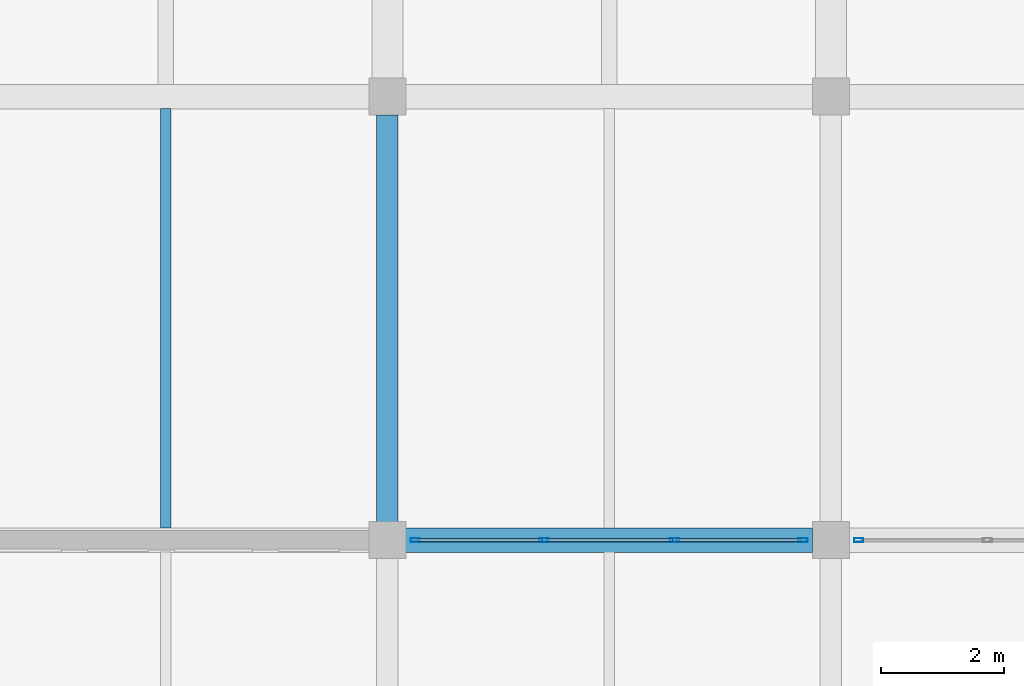
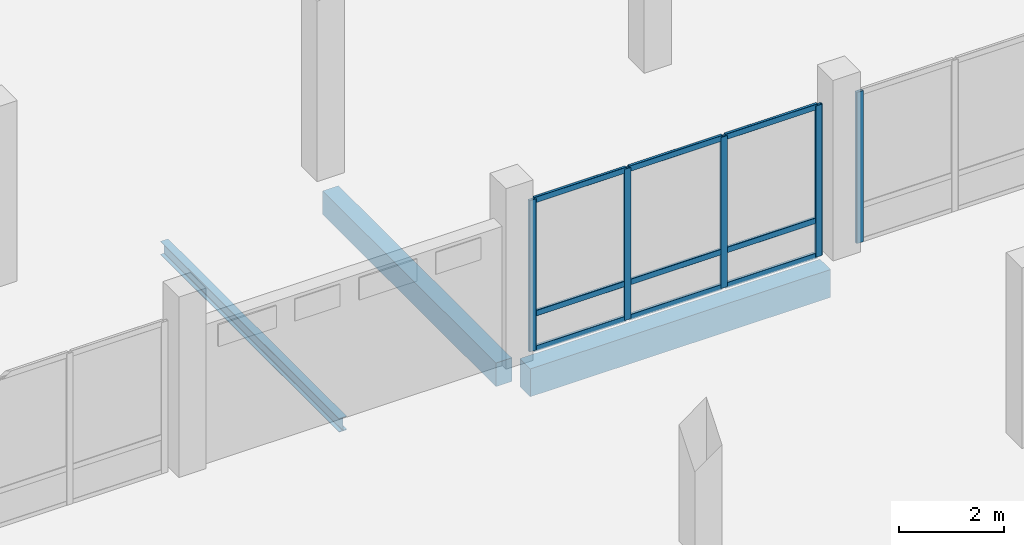
# One storey, part 110 of 158: 14 members, 3 beams, 2 elements without a shape of their own.
"""IFC4 building model written with IfcOpenShell, lengths in metres."""

from ifc_helpers import new_model, si_unit, direction, frame, origin, origin_2d, place, context, subcontext, project, spatial, rectangle, hollow_rectangle, i_section, extrude, material, material_profile, profile_set, type_object, element, aggregate, save


model = new_model("IFC4")

# Units and contexts
model_context = context("Model", 3, precision=1e-05, world=origin(), true_north=direction((0.0, 1.0)))
body_context = subcontext(model_context, "Body", "Model", "MODEL_VIEW")
ifc_project = project(units=[si_unit("LENGTHUNIT", "METRE"), si_unit("AREAUNIT", "SQUARE_METRE"), si_unit("VOLUMEUNIT", "CUBIC_METRE"), si_unit("PLANEANGLEUNIT", "RADIAN"), si_unit("MASSUNIT", "GRAM", prefix="KILO")], contexts=[model_context])

# Site, building, storey
site_placement = place(None, origin())
site = spatial("IfcSite", under=ifc_project, at=site_placement, CompositionType="ELEMENT")
building_placement = place(site_placement, origin())
building = spatial("IfcBuilding", under=site, at=building_placement, Name="Lusvemor Sports Hall", CompositionType="ELEMENT")
storey_placement = place(building_placement, frame((0.0, 0.0, 10.800048828125)))
storey = spatial("IfcBuildingStorey", under=building, at=storey_placement, Name="L02", CompositionType="ELEMENT", Elevation=10.800048828125)

# Beams
ifc_material_1 = material(Name="Concrete C40/50", Category="concrete")
ifc_material_profile_1 = material_profile(ifc_material_1, rectangle(XDim=0.35009765625, YDim=0.550048828125, at=origin_2d()), Name="RC350x550")
ifc_profile_set_1 = profile_set([ifc_material_profile_1], Name="Concrete C40/50")
beam_type_1 = type_object("IfcBeamType", Name="BEAM_RC_550", PredefinedType="BEAM", material=ifc_profile_set_1)
beam_1_placement = place(storey_placement, frame((147.60009765625, 97.49609375, -0.53515625), z_axis=(0.0, 1.0, 0.0), x_axis=(-1.0, 0.0, 0.0)))
element("IfcBeam", 1, at=beam_1_placement, inside=storey, type_object=beam_type_1, Name="Beam L02 17:N-P", PredefinedType="BEAM", context=body_context, shape_type="SweptSolid", body=[
    extrude(rectangle(XDim=0.35009765625, YDim=0.550048828125, at=origin_2d()), origin(), (0.0, 0.0, 1.0), 6.60791015625),
])
ifc_material_2 = material(Name="Concrete C40/50", Category="concrete")
ifc_material_profile_2 = material_profile(ifc_material_2, rectangle(XDim=0.39990234375, YDim=0.64990234375, at=origin_2d()), Name="RC400x650")
ifc_profile_set_2 = profile_set([ifc_material_profile_2], Name="Concrete C40/50")
beam_type_2 = type_object("IfcBeamType", Name="BEAM_RC_650", PredefinedType="BEAM", material=ifc_profile_set_2)
beam_2_placement = place(storey_placement, frame((147.89599609375, 97.199951171875, -0.5849609375), z_axis=(1.0, 0.0, 0.0), x_axis=(0.0, 1.0, 0.0)))
element("IfcBeam", 2, at=beam_2_placement, inside=storey, type_object=beam_type_2, Name="Beam L02 N:17-18", PredefinedType="BEAM", context=body_context, shape_type="SweptSolid", body=[
    extrude(rectangle(XDim=0.39990234375, YDim=0.64990234375, at=origin_2d()), origin(), (0.0, 0.0, 1.0), 6.60791015625),
])

# Curtain wall, members
ifc_material_3 = material(Name="Thermally broken bronze-anodized aluminium", Category="aluminium")
curtain_wall_type = type_object("IfcCurtainWallType", Name="CW_WING_B", PredefinedType="NOTDEFINED", material=ifc_material_3)
curtain_wall_1_placement = place(storey_placement, origin())
curtain_wall_1 = element("IfcCurtainWall", 3, at=curtain_wall_1_placement, inside=storey, type_object=curtain_wall_type, Name="Curtain Wall CW-L02-S-3-14", PredefinedType="NOTDEFINED")
ifc_material_4 = material(Name="Thermally broken bronze-anodized aluminium", Category="aluminium")
ifc_material_profile_3 = material_profile(ifc_material_4, hollow_rectangle(XDim=0.06494140625, YDim=0.14990234375, WallThickness=0.00390625, InnerFilletRadius=0.00390625, OuterFilletRadius=0.008056640625, at=origin_2d()), Name="CWMUL150x65x4")
ifc_profile_set_3 = profile_set([ifc_material_profile_3], Name="Thermally broken bronze-anodized aluminium")
member_type_1 = type_object("IfcMemberType", Name="CW_MUL_B", PredefinedType="MULLION", material=ifc_profile_set_3)
member_1_placement = place(storey_placement, frame((154.347412109375, 97.199951171875, 0.0), z_axis=(0.0, 0.0, 1.0), x_axis=(0.0, -1.0, 0.0)))
member_1 = element("IfcMember", 4, at=member_1_placement, type_object=member_type_1, Name="CW02 mullion 1", PredefinedType="MULLION", context=body_context, shape_type="SweptSolid", body=[
    extrude(hollow_rectangle(XDim=0.06494140625, YDim=0.14990234375, WallThickness=0.00390625, InnerFilletRadius=0.00390625, OuterFilletRadius=0.008056640625, at=origin_2d()), origin(), (0.0, 0.0, 1.0), 3.52001953125),
])
member_2_placement = place(storey_placement, frame((152.260009765625, 97.199951171875, 0.0), z_axis=(0.0, 0.0, 1.0), x_axis=(0.0, -1.0, 0.0)))
member_2 = element("IfcMember", 5, at=member_2_placement, type_object=member_type_1, Name="CW02 mullion 2", PredefinedType="MULLION", context=body_context, shape_type="SweptSolid", body=[
    extrude(hollow_rectangle(XDim=0.06494140625, YDim=0.14990234375, WallThickness=0.00390625, InnerFilletRadius=0.00390625, OuterFilletRadius=0.008056640625, at=origin_2d()), origin(), (0.0, 0.0, 1.0), 3.52001953125),
])
member_3_placement = place(storey_placement, frame((150.139892578125, 97.199951171875, 0.0), z_axis=(0.0, 0.0, 1.0), x_axis=(0.0, -1.0, 0.0)))
member_3 = element("IfcMember", 6, at=member_3_placement, type_object=member_type_1, Name="CW02 mullion 3", PredefinedType="MULLION", context=body_context, shape_type="SweptSolid", body=[
    extrude(hollow_rectangle(XDim=0.06494140625, YDim=0.14990234375, WallThickness=0.00390625, InnerFilletRadius=0.00390625, OuterFilletRadius=0.008056640625, at=origin_2d()), origin(), (0.0, 0.0, 1.0), 3.52001953125),
])
member_4_placement = place(storey_placement, frame((148.052490234375, 97.199951171875, 0.0), z_axis=(0.0, 0.0, 1.0), x_axis=(0.0, -1.0, 0.0)))
member_4 = element("IfcMember", 7, at=member_4_placement, type_object=member_type_1, Name="CW02 mullion 4", PredefinedType="MULLION", context=body_context, shape_type="SweptSolid", body=[
    extrude(hollow_rectangle(XDim=0.06494140625, YDim=0.14990234375, WallThickness=0.00390625, InnerFilletRadius=0.00390625, OuterFilletRadius=0.008056640625, at=origin_2d()), origin(), (0.0, 0.0, 1.0), 3.52001953125),
])

# Curtain wall, member
curtain_wall_2_placement = place(storey_placement, origin())
curtain_wall_2 = element("IfcCurtainWall", 8, at=curtain_wall_2_placement, inside=storey, type_object=curtain_wall_type, Name="Curtain Wall CW-L02-S-3-15", PredefinedType="NOTDEFINED")
member_5_placement = place(storey_placement, frame((155.25244140625, 97.199951171875, 0.0), z_axis=(0.0, 0.0, 1.0), x_axis=(0.0, -1.0, 0.0)))
member_5 = element("IfcMember", 9, at=member_5_placement, type_object=member_type_1, Name="CW02 mullion 4", PredefinedType="MULLION", context=body_context, shape_type="SweptSolid", body=[
    extrude(hollow_rectangle(XDim=0.06494140625, YDim=0.14990234375, WallThickness=0.00390625, InnerFilletRadius=0.00390625, OuterFilletRadius=0.008056640625, at=origin_2d()), origin(), (0.0, 0.0, 1.0), 3.52001953125),
])
aggregate(curtain_wall_2, [member_5])

# Member
ifc_material_5 = material(Name="Thermally broken bronze-anodized aluminium", Category="aluminium")
ifc_material_profile_4 = material_profile(ifc_material_5, hollow_rectangle(XDim=0.06005859375, YDim=0.135009765625, WallThickness=0.00390625, InnerFilletRadius=0.00390625, OuterFilletRadius=0.008056640625, at=origin_2d()), Name="CWTRN135x60x4")
ifc_profile_set_4 = profile_set([ifc_material_profile_4], Name="Thermally broken bronze-anodized aluminium")
member_type_2 = type_object("IfcMemberType", Name="CW_TRN_B", PredefinedType="USERDEFINED", material=ifc_profile_set_4)
member_6_placement = place(storey_placement, frame((154.31494140625, 97.199951171875, 0.030029296875), z_axis=(-1.0, 0.0, 0.0), x_axis=(0.0, -1.0, 0.0)))
member_6 = element("IfcMember", 10, at=member_6_placement, type_object=member_type_2, Name="CW02 transom 1.1", ObjectType="TRANSOM", PredefinedType="USERDEFINED", context=body_context, shape_type="SweptSolid", body=[
    extrude(hollow_rectangle(XDim=0.06005859375, YDim=0.135009765625, WallThickness=0.00390625, InnerFilletRadius=0.00390625, OuterFilletRadius=0.008056640625, at=origin_2d()), origin(), (0.0, 0.0, 1.0), 2.0224609375),
])

member_7_placement = place(storey_placement, frame((154.31494140625, 97.199951171875, 0.849853515625), z_axis=(-1.0, 0.0, 0.0), x_axis=(0.0, -1.0, 0.0)))
member_7 = element("IfcMember", 11, at=member_7_placement, type_object=member_type_2, Name="CW02 transom 1.2", ObjectType="TRANSOM", PredefinedType="USERDEFINED", context=body_context, shape_type="SweptSolid", body=[
    extrude(hollow_rectangle(XDim=0.06005859375, YDim=0.135009765625, WallThickness=0.00390625, InnerFilletRadius=0.00390625, OuterFilletRadius=0.008056640625, at=origin_2d()), origin(), (0.0, 0.0, 1.0), 2.0224609375),
])

member_8_placement = place(storey_placement, frame((154.31494140625, 97.199951171875, 3.489990234375), z_axis=(-1.0, 0.0, 0.0), x_axis=(0.0, -1.0, 0.0)))
member_8 = element("IfcMember", 12, at=member_8_placement, type_object=member_type_2, Name="CW02 transom 1.3", ObjectType="TRANSOM", PredefinedType="USERDEFINED", context=body_context, shape_type="SweptSolid", body=[
    extrude(hollow_rectangle(XDim=0.06005859375, YDim=0.135009765625, WallThickness=0.00390625, InnerFilletRadius=0.00390625, OuterFilletRadius=0.008056640625, at=origin_2d()), origin(), (0.0, 0.0, 1.0), 2.0224609375),
])

member_9_placement = place(storey_placement, frame((152.2275390625, 97.199951171875, 0.030029296875), z_axis=(-1.0, 0.0, 0.0), x_axis=(0.0, -1.0, 0.0)))
member_9 = element("IfcMember", 13, at=member_9_placement, type_object=member_type_2, Name="CW02 transom 2.1", ObjectType="TRANSOM", PredefinedType="USERDEFINED", context=body_context, shape_type="SweptSolid", body=[
    extrude(hollow_rectangle(XDim=0.06005859375, YDim=0.135009765625, WallThickness=0.00390625, InnerFilletRadius=0.00390625, OuterFilletRadius=0.008056640625, at=origin_2d()), origin(), (0.0, 0.0, 1.0), 2.054931640625),
])

member_10_placement = place(storey_placement, frame((152.2275390625, 97.199951171875, 0.849853515625), z_axis=(-1.0, 0.0, 0.0), x_axis=(0.0, -1.0, 0.0)))
member_10 = element("IfcMember", 14, at=member_10_placement, type_object=member_type_2, Name="CW02 transom 2.2", ObjectType="TRANSOM", PredefinedType="USERDEFINED", context=body_context, shape_type="SweptSolid", body=[
    extrude(hollow_rectangle(XDim=0.06005859375, YDim=0.135009765625, WallThickness=0.00390625, InnerFilletRadius=0.00390625, OuterFilletRadius=0.008056640625, at=origin_2d()), origin(), (0.0, 0.0, 1.0), 2.054931640625),
])

member_11_placement = place(storey_placement, frame((152.2275390625, 97.199951171875, 3.489990234375), z_axis=(-1.0, 0.0, 0.0), x_axis=(0.0, -1.0, 0.0)))
member_11 = element("IfcMember", 15, at=member_11_placement, type_object=member_type_2, Name="CW02 transom 2.3", ObjectType="TRANSOM", PredefinedType="USERDEFINED", context=body_context, shape_type="SweptSolid", body=[
    extrude(hollow_rectangle(XDim=0.06005859375, YDim=0.135009765625, WallThickness=0.00390625, InnerFilletRadius=0.00390625, OuterFilletRadius=0.008056640625, at=origin_2d()), origin(), (0.0, 0.0, 1.0), 2.054931640625),
])

member_12_placement = place(storey_placement, frame((150.107421875, 97.199951171875, 0.030029296875), z_axis=(-1.0, 0.0, 0.0), x_axis=(0.0, -1.0, 0.0)))
member_12 = element("IfcMember", 16, at=member_12_placement, type_object=member_type_2, Name="CW02 transom 3.1", ObjectType="TRANSOM", PredefinedType="USERDEFINED", context=body_context, shape_type="SweptSolid", body=[
    extrude(hollow_rectangle(XDim=0.06005859375, YDim=0.135009765625, WallThickness=0.00390625, InnerFilletRadius=0.00390625, OuterFilletRadius=0.008056640625, at=origin_2d()), origin(), (0.0, 0.0, 1.0), 2.0224609375),
])

member_13_placement = place(storey_placement, frame((150.107421875, 97.199951171875, 0.849853515625), z_axis=(-1.0, 0.0, 0.0), x_axis=(0.0, -1.0, 0.0)))
member_13 = element("IfcMember", 17, at=member_13_placement, type_object=member_type_2, Name="CW02 transom 3.2", ObjectType="TRANSOM", PredefinedType="USERDEFINED", context=body_context, shape_type="SweptSolid", body=[
    extrude(hollow_rectangle(XDim=0.06005859375, YDim=0.135009765625, WallThickness=0.00390625, InnerFilletRadius=0.00390625, OuterFilletRadius=0.008056640625, at=origin_2d()), origin(), (0.0, 0.0, 1.0), 2.0224609375),
])

member_14_placement = place(storey_placement, frame((150.107421875, 97.199951171875, 3.489990234375), z_axis=(-1.0, 0.0, 0.0), x_axis=(0.0, -1.0, 0.0)))
member_14 = element("IfcMember", 18, at=member_14_placement, type_object=member_type_2, Name="CW02 transom 3.3", ObjectType="TRANSOM", PredefinedType="USERDEFINED", context=body_context, shape_type="SweptSolid", body=[
    extrude(hollow_rectangle(XDim=0.06005859375, YDim=0.135009765625, WallThickness=0.00390625, InnerFilletRadius=0.00390625, OuterFilletRadius=0.008056640625, at=origin_2d()), origin(), (0.0, 0.0, 1.0), 2.0224609375),
])

aggregate(curtain_wall_1, [member_1, member_2, member_3, member_4, member_6, member_7, member_8, member_9, member_10, member_11, member_12, member_13, member_14])

# Beam
ifc_material_6 = material(Name="Steel S355", Category="steel")
ifc_material_profile_5 = material_profile(ifc_material_6, i_section(OverallWidth=0.1669921875, OverallDepth=0.31689453125, WebThickness=0.007568359375, FlangeThickness=0.01318359375, FilletRadius=0.014892578125, at=origin_2d()), Name="W310x52.0")
ifc_profile_set_5 = profile_set([ifc_material_profile_5], Name="Steel S355")
beam_type_3 = type_object("IfcBeamType", Name="JOIST_ST_310M", PredefinedType="JOIST", material=ifc_profile_set_5)
beam_3_placement = place(storey_placement, frame((144.0, 97.39599609375, -0.422607421875), z_axis=(0.0, 1.0, 0.0), x_axis=(-1.0, 0.0, 0.0)))
element("IfcBeam", 19, at=beam_3_placement, inside=storey, type_object=beam_type_3, Name="Secondary Joist L02 16-17/N-P #1", PredefinedType="JOIST", context=body_context, shape_type="SweptSolid", body=[
    extrude(i_section(OverallWidth=0.1669921875, OverallDepth=0.31689453125, WebThickness=0.007568359375, FlangeThickness=0.01318359375, FilletRadius=0.014892578125, at=origin_2d()), origin(), (0.0, 0.0, 1.0), 6.80810546875),
])

save(model, "model.ifc")
